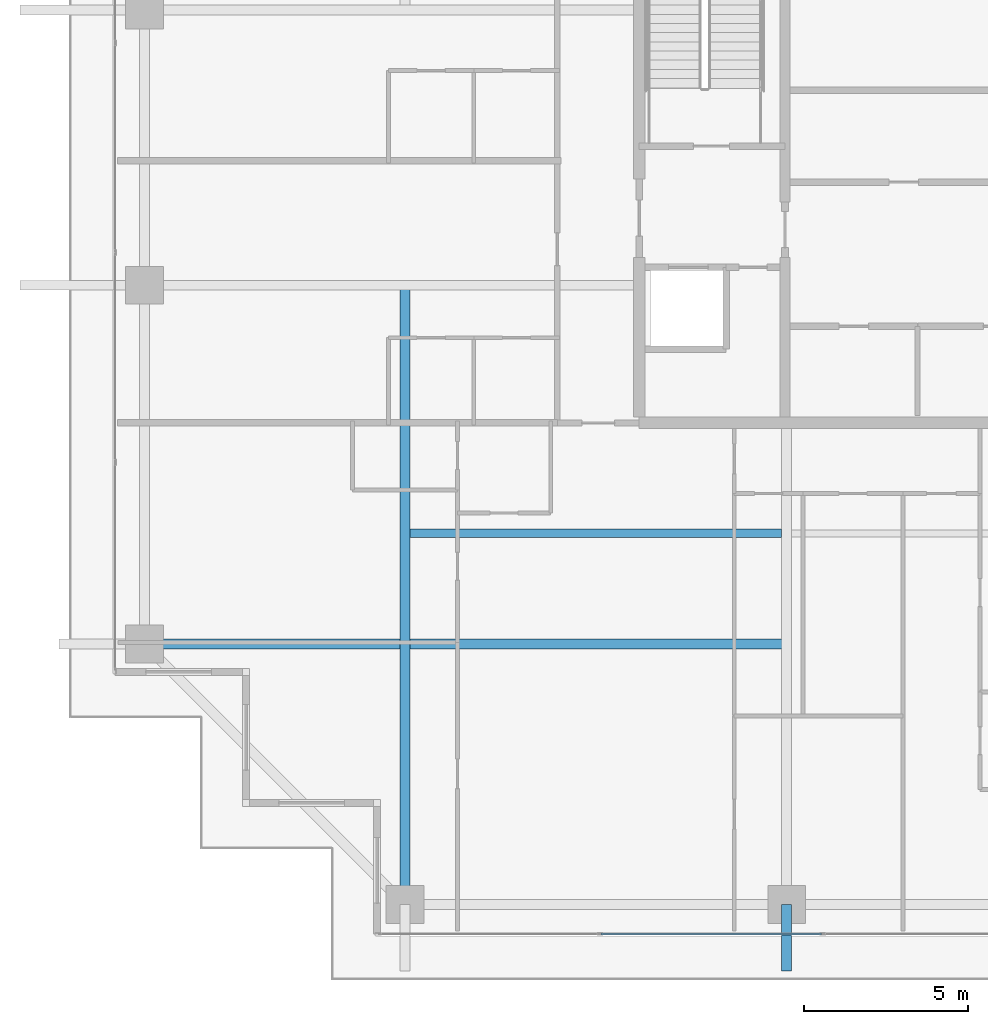
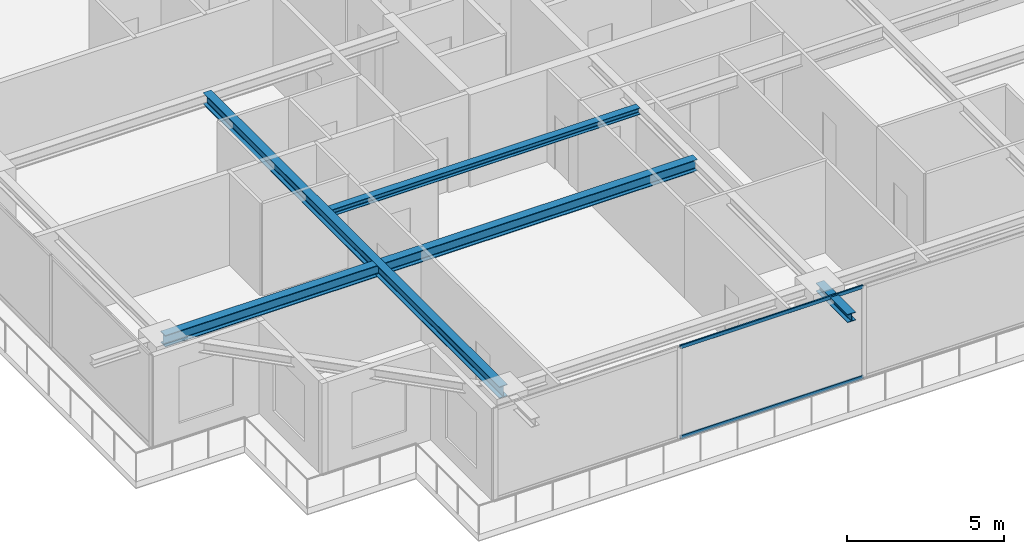
# One storey, part 4 of 37: 4 beams, 2 members, 1 element without a shape of its own.
"""IFC4 building model written with IfcOpenShell, lengths in metres."""

from ifc_helpers import new_model, si_unit, direction, frame, origin, origin_2d, place, context, subcontext, project, spatial, hollow_rectangle, i_section, extrude, source, transform, mapped, material, layer, layer_set, material_profile, profile_set, type_object, element, aggregate, save


model = new_model("IFC4")

# Units and contexts
model_context = context("Model", 3, precision=1e-05, world=origin(), true_north=direction((0.0, 1.0)))
body_context = subcontext(model_context, "Body", "Model", "MODEL_VIEW")
ifc_project = project(units=[si_unit("LENGTHUNIT", "METRE"), si_unit("AREAUNIT", "SQUARE_METRE"), si_unit("VOLUMEUNIT", "CUBIC_METRE"), si_unit("PLANEANGLEUNIT", "RADIAN"), si_unit("MASSUNIT", "GRAM", prefix="KILO")], contexts=[model_context])

# Site, building, storey
site_placement = place(None, origin())
site = spatial("IfcSite", under=ifc_project, at=site_placement, CompositionType="ELEMENT")
building_placement = place(site_placement, origin())
building = spatial("IfcBuilding", under=site, at=building_placement, Name="Serunith Strait Residences", CompositionType="ELEMENT")
storey_placement = place(building_placement, frame((0.0, 0.0, 248.949951171875)))
storey = spatial("IfcBuildingStorey", under=building, at=storey_placement, Name="L62", CompositionType="ELEMENT", Elevation=248.949951171875)

# Beams
ifc_material_1 = material(Name="Steel S355J2", Category="steel")
ifc_material_profile_1 = material_profile(ifc_material_1, i_section(OverallWidth=0.300048828125, OverallDepth=0.449951171875, WebThickness=0.013916015625, FlangeThickness=0.02587890625, FilletRadius=0.027099609375, at=origin_2d()), Name="HEB 450")
ifc_profile_set_1 = profile_set([ifc_material_profile_1], Name="Steel S355J2")
beam_type_1 = type_object("IfcBeamType", Name="BM-HEB450", PredefinedType="BEAM", material=ifc_profile_set_1)
shared_shape_1 = source(origin(), body_context, "Body", "SweptSolid", [
    extrude(i_section(OverallWidth=0.300048828125, OverallDepth=0.449951171875, WebThickness=0.013916015625, FlangeThickness=0.02587890625, FilletRadius=0.027099609375, at=origin_2d()), origin(), (0.0, 0.0, 1.0), 18.89990234375),
])
beam_1_placement = place(storey_placement, frame((16.25, 21.0, 3.362060546875), z_axis=(0.0, -1.0, 0.0), x_axis=(1.0, 0.0, 0.0)))
element("IfcBeam", 1, at=beam_1_placement, inside=storey, type_object=beam_type_1, Name="L62 Orthogonal Corner Girder TC-S1", PredefinedType="BEAM", context=body_context, shape_type="MappedRepresentation", body=[
    mapped(shared_shape_1, transform((0.0, 0.0, 0.0), scale=1.0)),
])
shared_shape_2 = source(origin(), body_context, "Body", "SweptSolid", [
    extrude(i_section(OverallWidth=0.300048828125, OverallDepth=0.449951171875, WebThickness=0.013916015625, FlangeThickness=0.02587890625, FilletRadius=0.027099609375, at=origin_2d()), origin(), (0.0, 0.0, 1.0), 19.599853515625),
])
beam_2_placement = place(storey_placement, frame((27.89990234375, 10.050048828125, 3.362060546875), z_axis=(-1.0, 0.0, 0.0), x_axis=(0.0, -1.0, 0.0)))
element("IfcBeam", 2, at=beam_2_placement, inside=storey, type_object=beam_type_1, Name="L62 Orthogonal Corner Girder TC-W1", PredefinedType="BEAM", context=body_context, shape_type="MappedRepresentation", body=[
    mapped(shared_shape_2, transform((0.0, 0.0, 0.0), scale=1.0)),
])
ifc_material_profile_2 = material_profile(ifc_material_1, i_section(OverallWidth=0.300048828125, OverallDepth=0.320068359375, WebThickness=0.011474609375, FlangeThickness=0.0205078125, FilletRadius=0.027099609375, at=origin_2d()), Name="HEB 320")
ifc_profile_set_2 = profile_set([ifc_material_profile_2], Name="Steel S355J2")
beam_type_2 = type_object("IfcBeamType", Name="BM-HEB320", PredefinedType="BEAM", material=ifc_profile_set_2)
shared_shape_3 = source(origin(), body_context, "Body", "SweptSolid", [
    extrude(i_section(OverallWidth=0.300048828125, OverallDepth=0.320068359375, WebThickness=0.011474609375, FlangeThickness=0.0205078125, FilletRadius=0.027099609375, at=origin_2d()), origin(), (0.0, 0.0, 1.0), 2.030029296875),
])
beam_3_placement = place(storey_placement, frame((27.89990234375, 2.10009765625, 3.39697265625), z_axis=(0.0, -1.0, 0.0), x_axis=(1.0, 0.0, 0.0)))
element("IfcBeam", 3, at=beam_3_placement, inside=storey, type_object=beam_type_2, Name="L63 Cantilevered Balcony Rib TC-S2", PredefinedType="BEAM", context=body_context, shape_type="MappedRepresentation", body=[
    mapped(shared_shape_3, transform((0.0, 0.0, 0.0), scale=1.0)),
])
ifc_material_profile_3 = material_profile(ifc_material_1, i_section(OverallWidth=0.260009765625, OverallDepth=0.260009765625, WebThickness=0.010009765625, FlangeThickness=0.017578125, FilletRadius=0.02392578125, at=origin_2d()), Name="HEB 260")
ifc_profile_set_3 = profile_set([ifc_material_profile_3], Name="Steel S355J2")
beam_type_3 = type_object("IfcBeamType", Name="BM-HEB260", PredefinedType="JOIST", material=ifc_profile_set_3)
shared_shape_4 = source(origin(), body_context, "Body", "SweptSolid", [
    extrude(i_section(OverallWidth=0.260009765625, OverallDepth=0.260009765625, WebThickness=0.010009765625, FlangeThickness=0.017578125, FilletRadius=0.02392578125, at=origin_2d()), origin(), (0.0, 0.0, 1.0), 11.35009765625),
])
beam_4_placement = place(storey_placement, frame((16.39990234375, 13.425048828125, 3.45703125), z_axis=(1.0, 0.0, 0.0), x_axis=(0.0, 1.0, 0.0)))
element("IfcBeam", 4, at=beam_4_placement, inside=storey, type_object=beam_type_3, Name="L62 Composite Floor Joist 01", PredefinedType="JOIST", context=body_context, shape_type="MappedRepresentation", body=[
    mapped(shared_shape_4, transform((0.0, 0.0, 0.0), scale=1.0)),
])

# Curtain wall, members
ifc_material_2 = material(Name="Pale-Champagne Anodised Aluminium", Category="aluminium")
ifc_layer = layer(ifc_material_2, 0.199951171875, Name="Pale-Champagne Anodised Aluminium")
ifc_layer_set = layer_set([ifc_layer], Name="Pale-Champagne Anodised Aluminium")
curtain_wall_type = type_object("IfcCurtainWallType", Name="CW-SYS4", PredefinedType="NOTDEFINED", material=ifc_layer_set)
curtain_wall_placement = place(storey_placement, origin())
curtain_wall = element("IfcCurtainWall", 5, at=curtain_wall_placement, inside=storey, type_object=curtain_wall_type, Name="L62 S Unitised Fritted Curtain Wall", PredefinedType="NOTDEFINED")
ifc_material_profile_4 = material_profile(ifc_material_2, hollow_rectangle(XDim=0.06005859375, YDim=0.139892578125, WallThickness=0.00341796875, InnerFilletRadius=0.00537109375, OuterFilletRadius=0.0087890625, at=origin_2d()), Name="ALU 140x60x3.5")
ifc_profile_set_4 = profile_set([ifc_material_profile_4], Name="Pale-Champagne Anodised Aluminium")
member_type = type_object("IfcMemberType", Name="CW-SYS4-TRAN", PredefinedType="USERDEFINED", material=ifc_profile_set_4)
shared_shape_5 = source(origin(), body_context, "Body", "SweptSolid", [
    extrude(hollow_rectangle(XDim=0.06005859375, YDim=0.139892578125, WallThickness=0.00341796875, InnerFilletRadius=0.00537109375, OuterFilletRadius=0.0087890625, at=origin_2d()), origin(), (0.0, 0.0, 1.0), 6.735107421875),
])
member_1_placement = place(storey_placement, frame((22.232421875, 1.199951171875, 0.030029296875), z_axis=(1.0, 0.0, 0.0), x_axis=(0.0, 1.0, 0.0)))
member_1 = element("IfcMember", 6, at=member_1_placement, type_object=member_type, Name="CW-4 transom 2.1", ObjectType="TRANSOM", PredefinedType="USERDEFINED", context=body_context, shape_type="MappedRepresentation", body=[
    mapped(shared_shape_5, transform((0.0, 0.0, 0.0), scale=1.0)),
])
member_2_placement = place(storey_placement, frame((22.232421875, 1.199951171875, 3.545166015625), z_axis=(1.0, 0.0, 0.0), x_axis=(0.0, 1.0, 0.0)))
member_2 = element("IfcMember", 7, at=member_2_placement, type_object=member_type, Name="CW-4 transom 2.2", ObjectType="TRANSOM", PredefinedType="USERDEFINED", context=body_context, shape_type="MappedRepresentation", body=[
    mapped(shared_shape_5, transform((0.0, 0.0, 0.0), scale=1.0)),
])
aggregate(curtain_wall, [member_1, member_2])

save(model, "model.ifc")
